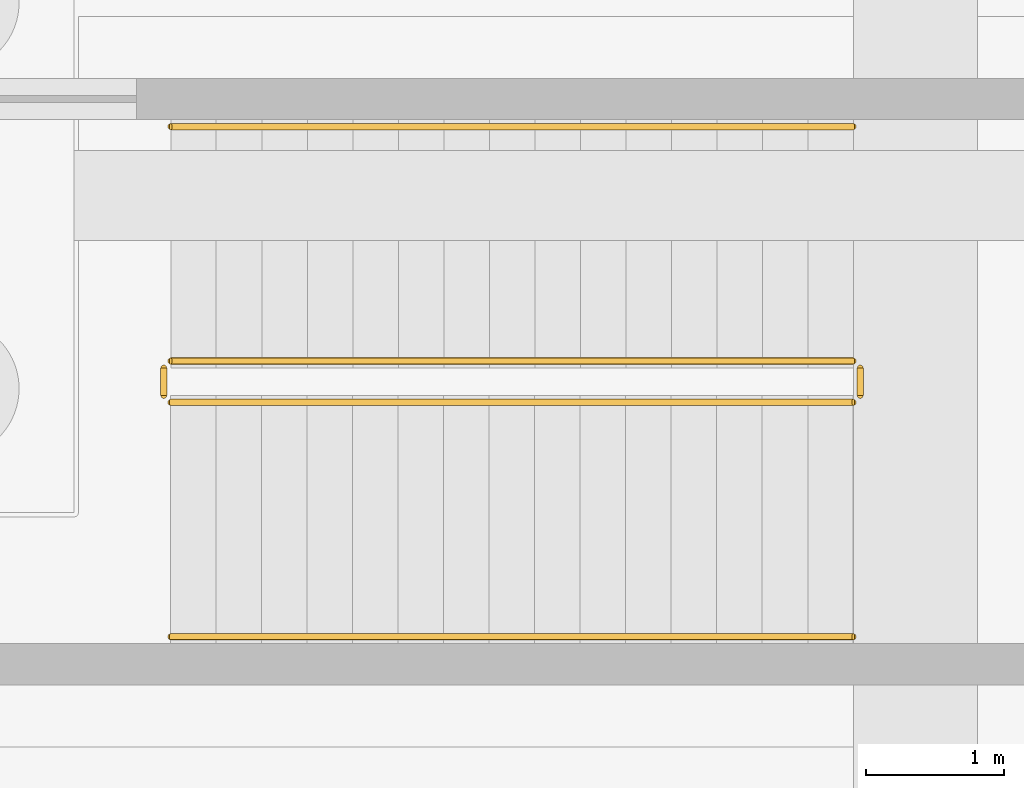
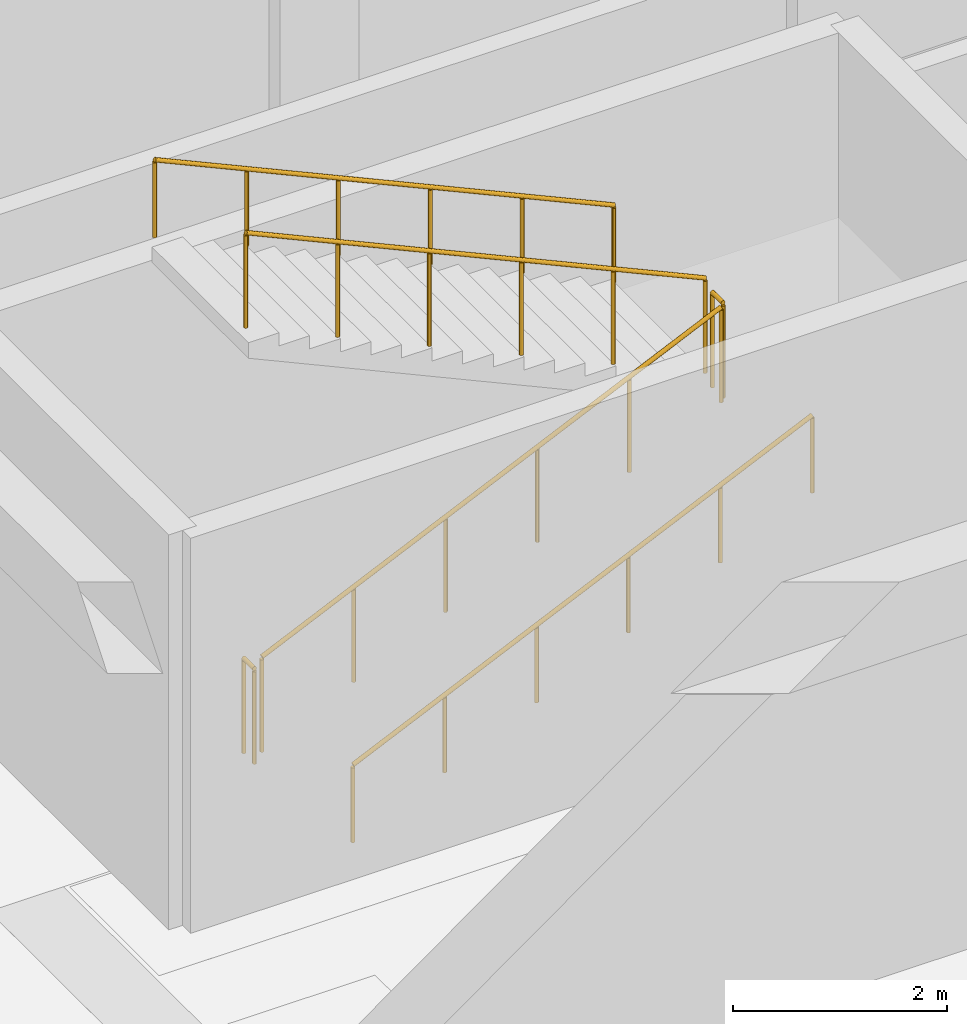
# One storey, part 74 of 80: 6 railings.
"""IFC4 building model written with IfcOpenShell, lengths in metres."""

from ifc_helpers import new_model, si_unit, direction, frame, origin, origin_2d, place, context, subcontext, project, spatial, circle, extrude, material, layer, layer_set, type_object, element, save


model = new_model("IFC4")

# Units and contexts
model_context = context("Model", 3, precision=1e-05, world=origin(), true_north=direction((0.0, 1.0)))
body_context = subcontext(model_context, "Body", "Model", "MODEL_VIEW")
ifc_project = project(units=[si_unit("LENGTHUNIT", "METRE"), si_unit("AREAUNIT", "SQUARE_METRE"), si_unit("VOLUMEUNIT", "CUBIC_METRE"), si_unit("PLANEANGLEUNIT", "RADIAN"), si_unit("MASSUNIT", "GRAM", prefix="KILO")], contexts=[model_context])

# Site, building, storey
site_placement = place(None, origin())
site = spatial("IfcSite", under=ifc_project, at=site_placement, CompositionType="ELEMENT")
building_placement = place(site_placement, origin())
building = spatial("IfcBuilding", under=site, at=building_placement, Name="Malvenik Polytechnic", CompositionType="ELEMENT")
storey_placement = place(building_placement, frame((0.0, 0.0, -4.800048828125)))
storey = spatial("IfcBuildingStorey", under=building, at=storey_placement, Name="B1", CompositionType="ELEMENT", Elevation=-4.800048828125)

# Railings
ifc_material_1 = material(Name="Painted galvanised steel stair well balustrade 1100mm", Category="steel")
ifc_layer_1 = layer(ifc_material_1, 0.050048828125)
ifc_layer_set_1 = layer_set([ifc_layer_1], Name="Painted galvanised steel stair well balustrade 1100mm")
railing_type_1 = type_object("IfcRailingType", Name="ARC-RL-STGD", PredefinedType="BALUSTRADE", material=ifc_layer_set_1)
railing_1_placement = place(storey_placement, frame((11.39990234375, 120.89990234375, 0.150146484375)))
element("IfcRailing", 1, at=railing_1_placement, inside=storey, type_object=railing_type_1, Name="B1 ST-01 stair guard 1", PredefinedType="BALUSTRADE", context=body_context, shape_type="SweptSolid", body=[
    extrude(circle(Radius=0.02392578125, at=origin_2d()), frame((0.0, 0.0, 1.076171875), z_axis=(0.910372627913, 0.0, 0.413789413043), x_axis=(0.0, 1.0, 0.0)), (0.0, 0.0, 1.0), 5.4375),
    extrude(circle(Radius=0.02099609375, at=origin_2d()), origin(), (0.0, 0.0, 1.0), 1.052001953125),
    extrude(circle(Radius=0.02099609375, at=origin_2d()), frame((0.989990234375, 0.0, 0.449951171875)), (0.0, 0.0, 1.0), 1.052001953125),
    extrude(circle(Radius=0.02099609375, at=origin_2d()), frame((1.97998046875, 0.0, 0.89990234375)), (0.0, 0.0, 1.0), 1.052001953125),
    extrude(circle(Radius=0.02099609375, at=origin_2d()), frame((2.97021484375, 0.0, 1.35009765625)), (0.0, 0.0, 1.0), 1.052001953125),
    extrude(circle(Radius=0.02099609375, at=origin_2d()), frame((3.960205078125, 0.0, 1.800048828125)), (0.0, 0.0, 1.0), 1.052001953125),
    extrude(circle(Radius=0.02099609375, at=origin_2d()), frame((4.9501953125, 0.0, 2.25)), (0.0, 0.0, 1.0), 1.052001953125),
])
railing_2_placement = place(storey_placement, frame((16.39990234375, 120.949951171875, 2.400146484375)))
element("IfcRailing", 2, at=railing_2_placement, inside=storey, type_object=railing_type_1, Name="B1 ST-01 stair guard 2", PredefinedType="BALUSTRADE", context=body_context, shape_type="SweptSolid", body=[
    extrude(circle(Radius=0.02392578125, at=origin_2d()), frame((0.0, 0.0, 1.076171875), z_axis=(0.0, 1.0, 0.0), x_axis=(-1.0, 0.0, 0.0)), (0.0, 0.0, 1.0), 0.199951171875),
    extrude(circle(Radius=0.02099609375, at=origin_2d()), origin(), (0.0, 0.0, 1.0), 1.052001953125),
    extrude(circle(Radius=0.02099609375, at=origin_2d()), frame((0.0, 0.199951171875, 0.0)), (0.0, 0.0, 1.0), 1.052001953125),
])
railing_3_placement = place(storey_placement, frame((16.35009765625, 121.199951171875, 2.550048828125)))
element("IfcRailing", 3, at=railing_3_placement, inside=storey, type_object=railing_type_1, Name="B1 ST-01 stair guard 3", PredefinedType="BALUSTRADE", context=body_context, shape_type="SweptSolid", body=[
    extrude(circle(Radius=0.02392578125, at=origin_2d()), frame((0.0, 0.0, 1.076171875), z_axis=(-0.910372627913, 0.0, 0.413789413043), x_axis=(0.0, -1.0, 0.0)), (0.0, 0.0, 1.0), 5.4375),
    extrude(circle(Radius=0.02099609375, at=origin_2d()), origin(), (0.0, 0.0, 1.0), 1.052001953125),
    extrude(circle(Radius=0.02099609375, at=origin_2d()), frame((-0.989990234375, 0.0, 0.449951171875)), (0.0, 0.0, 1.0), 1.052001953125),
    extrude(circle(Radius=0.02099609375, at=origin_2d()), frame((-1.97998046875, 0.0, 0.89990234375)), (0.0, 0.0, 1.0), 1.052001953125),
    extrude(circle(Radius=0.02099609375, at=origin_2d()), frame((-2.97021484375, 0.0, 1.35009765625)), (0.0, 0.0, 1.0), 1.052001953125),
    extrude(circle(Radius=0.02099609375, at=origin_2d()), frame((-3.960205078125, 0.0, 1.800048828125)), (0.0, 0.0, 1.0), 1.052001953125),
    extrude(circle(Radius=0.02099609375, at=origin_2d()), frame((-4.9501953125, 0.0, 2.25)), (0.0, 0.0, 1.0), 1.052001953125),
])
railing_4_placement = place(storey_placement, frame((11.35009765625, 120.949951171875, 0.0)))
element("IfcRailing", 4, at=railing_4_placement, inside=storey, type_object=railing_type_1, Name="B1 ST-01 stair guard 4", PredefinedType="BALUSTRADE", context=body_context, shape_type="SweptSolid", body=[
    extrude(circle(Radius=0.02392578125, at=origin_2d()), frame((0.0, 0.0, 1.076171875), z_axis=(0.0, 1.0, 0.0), x_axis=(-1.0, 0.0, 0.0)), (0.0, 0.0, 1.0), 0.199951171875),
    extrude(circle(Radius=0.02099609375, at=origin_2d()), origin(), (0.0, 0.0, 1.0), 1.052001953125),
    extrude(circle(Radius=0.02099609375, at=origin_2d()), frame((0.0, 0.199951171875, 0.0)), (0.0, 0.0, 1.0), 1.052001953125),
])
ifc_material_2 = material(Name="Brushed stainless steel 1.4301 stair wall handrail", Category="steel")
ifc_layer_2 = layer(ifc_material_2, 0.044921875)
ifc_layer_set_2 = layer_set([ifc_layer_2], Name="Brushed stainless steel 1.4301 stair wall handrail")
railing_type_2 = type_object("IfcRailingType", Name="ARC-RL-STHR", PredefinedType="HANDRAIL", material=ifc_layer_set_2)
railing_5_placement = place(storey_placement, frame((11.39990234375, 119.199951171875, 0.150146484375)))
element("IfcRailing", 5, at=railing_5_placement, inside=storey, type_object=railing_type_2, Name="B1 ST-01 stair handrail 1", PredefinedType="HANDRAIL", context=body_context, shape_type="SweptSolid", body=[
    extrude(circle(Radius=0.02392578125, at=origin_2d()), frame((0.0, 0.0, 0.8759765625), z_axis=(0.910372627913, 0.0, 0.413789413043), x_axis=(0.0, 1.0, 0.0)), (0.0, 0.0, 1.0), 5.4375),
    extrude(circle(Radius=0.02099609375, at=origin_2d()), origin(), (0.0, 0.0, 1.0), 0.851806640625),
    extrude(circle(Radius=0.02099609375, at=origin_2d()), frame((0.989990234375, 0.0, 0.449951171875)), (0.0, 0.0, 1.0), 0.851806640625),
    extrude(circle(Radius=0.02099609375, at=origin_2d()), frame((1.97998046875, 0.0, 0.89990234375)), (0.0, 0.0, 1.0), 0.851806640625),
    extrude(circle(Radius=0.02099609375, at=origin_2d()), frame((2.97021484375, 0.0, 1.35009765625)), (0.0, 0.0, 1.0), 0.851806640625),
    extrude(circle(Radius=0.02099609375, at=origin_2d()), frame((3.960205078125, 0.0, 1.800048828125)), (0.0, 0.0, 1.0), 0.851806640625),
    extrude(circle(Radius=0.02099609375, at=origin_2d()), frame((4.9501953125, 0.0, 2.25)), (0.0, 0.0, 1.0), 0.851806640625),
])
railing_6_placement = place(storey_placement, frame((16.35009765625, 122.89990234375, 2.550048828125)))
element("IfcRailing", 6, at=railing_6_placement, inside=storey, type_object=railing_type_2, Name="B1 ST-01 stair handrail 2", PredefinedType="HANDRAIL", context=body_context, shape_type="SweptSolid", body=[
    extrude(circle(Radius=0.02392578125, at=origin_2d()), frame((0.0, 0.0, 0.8759765625), z_axis=(-0.910372627913, 0.0, 0.413789413043), x_axis=(0.0, -1.0, 0.0)), (0.0, 0.0, 1.0), 5.4375),
    extrude(circle(Radius=0.02099609375, at=origin_2d()), origin(), (0.0, 0.0, 1.0), 0.851806640625),
    extrude(circle(Radius=0.02099609375, at=origin_2d()), frame((-0.989990234375, 0.0, 0.449951171875)), (0.0, 0.0, 1.0), 0.851806640625),
    extrude(circle(Radius=0.02099609375, at=origin_2d()), frame((-1.97998046875, 0.0, 0.89990234375)), (0.0, 0.0, 1.0), 0.851806640625),
    extrude(circle(Radius=0.02099609375, at=origin_2d()), frame((-2.97021484375, 0.0, 1.35009765625)), (0.0, 0.0, 1.0), 0.851806640625),
    extrude(circle(Radius=0.02099609375, at=origin_2d()), frame((-3.960205078125, 0.0, 1.800048828125)), (0.0, 0.0, 1.0), 0.851806640625),
    extrude(circle(Radius=0.02099609375, at=origin_2d()), frame((-4.9501953125, 0.0, 2.25)), (0.0, 0.0, 1.0), 0.851806640625),
])

save(model, "model.ifc")
